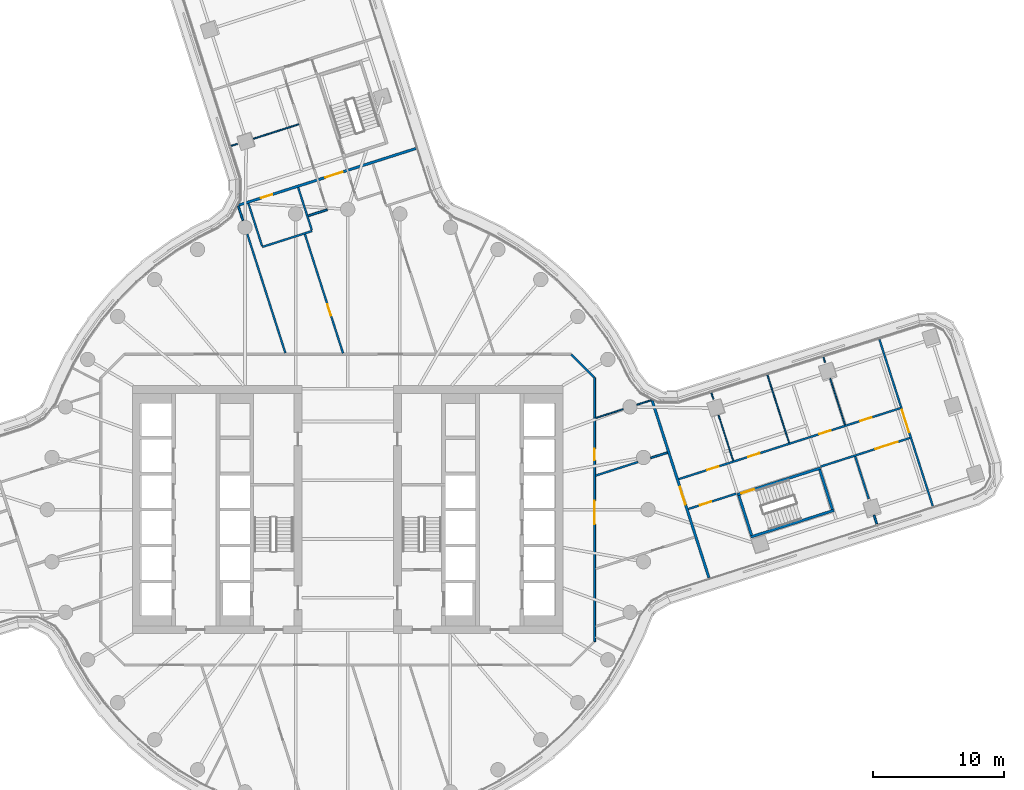
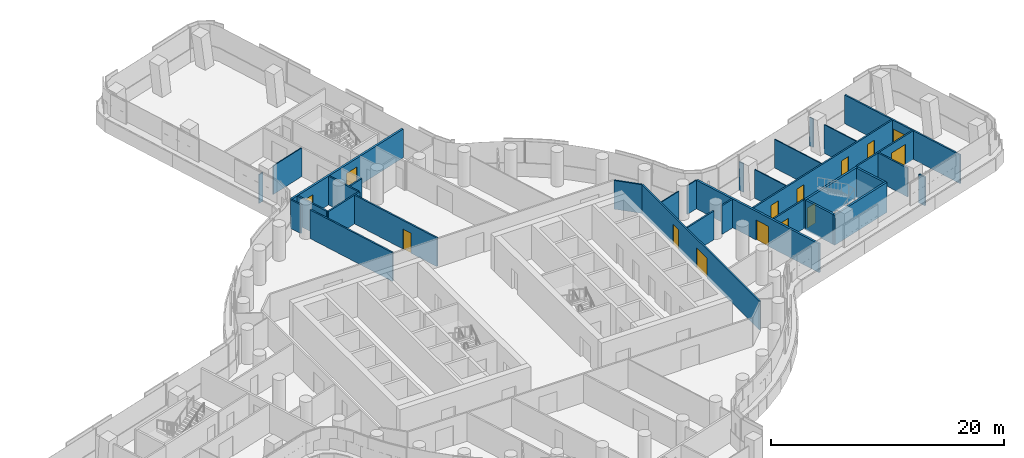
# One storey, part 21 of 30: 32 walls, 14 doors, 14 openings.
"""IFC4 building model written with IfcOpenShell, lengths in metres."""

from ifc_helpers import new_model, si_unit, direction, frame, frame_2d, origin, place, context, subcontext, project, spatial, polyline, rectangle, outline, extrude, material, layer, layer_set, type_object, element, fill, save


model = new_model("IFC4")

# Units and contexts
model_context = context("Model", 3, precision=1e-05, world=origin(), true_north=direction((0.0, 1.0)))
body_context = subcontext(model_context, "Body", "Model", "MODEL_VIEW")
ifc_project = project(units=[si_unit("LENGTHUNIT", "METRE"), si_unit("AREAUNIT", "SQUARE_METRE"), si_unit("VOLUMEUNIT", "CUBIC_METRE"), si_unit("PLANEANGLEUNIT", "RADIAN"), si_unit("MASSUNIT", "GRAM", prefix="KILO")], contexts=[model_context])

# Site, building, storey
site_placement = place(None, origin())
site = spatial("IfcSite", under=ifc_project, at=site_placement, CompositionType="ELEMENT")
building_placement = place(site_placement, origin())
building = spatial("IfcBuilding", under=site, at=building_placement, Name="Tamarind Cross Interchange Tower", CompositionType="ELEMENT")
storey_placement = place(building_placement, frame((0.0, 0.0, 98.5)))
storey = spatial("IfcBuildingStorey", under=building, at=storey_placement, Name="L23", CompositionType="ELEMENT", Elevation=98.5)

# Walls
ifc_material_1 = material(Name="Gypsum board partition on steel studs", Category="steel")
ifc_layer_1 = layer(ifc_material_1, 0.10009765625)
ifc_layer_set_1 = layer_set([ifc_layer_1], Name="Gypsum board partition on steel studs")
wall_type_1 = type_object("IfcWallType", Name="Partition 100 mm EI 90", PredefinedType="PARTITIONING", material=ifc_layer_set_1)
wall_1_placement = place(storey_placement, frame((27.853515625, 8.934814453125, 0.0), z_axis=(0.0, 0.0, 1.0), x_axis=(0.304546604954, -0.952497435908, 0.0)))
element("IfcWall", 1, at=wall_1_placement, inside=storey, type_object=wall_type_1, Name="Partition L23-029", PredefinedType="PARTITIONING", context=body_context, shape_type="SweptSolid", body=[
    extrude(rectangle(XDim=0.502685546875, YDim=0.10009765625, at=frame_2d((0.25146484375, 0.0))), origin(), (0.0, 0.0, 1.0), 3.010009765625),
])
wall_2_placement = place(storey_placement, frame((28.40185546875, 7.221923828125, 0.0), z_axis=(0.0, 0.0, 1.0), x_axis=(0.305047572326, -0.952337113956, 0.0)))
element("IfcWall", 2, at=wall_2_placement, inside=storey, type_object=wall_type_1, Name="Partition L23-030", PredefinedType="PARTITIONING", context=body_context, shape_type="SweptSolid", body=[
    extrude(rectangle(XDim=3.6494140625, YDim=0.10009765625, at=frame_2d((1.82470703125, 0.0))), origin(), (0.0, 0.0, 1.0), 3.010009765625),
])
wall_3_placement = place(storey_placement, frame((32.14111328125, 10.301513671875, 0.0), z_axis=(0.0, 0.0, 1.0), x_axis=(0.30504758376, -0.952337110294, 0.0)))
element("IfcWall", 3, at=wall_3_placement, inside=storey, type_object=wall_type_1, Name="Partition L23-031", PredefinedType="PARTITIONING", context=body_context, shape_type="SweptSolid", body=[
    extrude(rectangle(XDim=5.44140625, YDim=0.10009765625, at=frame_2d((2.720703125, 0.0))), origin(), (0.0, 0.0, 1.0), 3.010009765625),
])
wall_4_placement = place(storey_placement, frame((36.42822265625, 11.66796875, 0.0), z_axis=(0.0, 0.0, 1.0), x_axis=(0.305427554359, -0.952215316532, 0.0)))
element("IfcWall", 4, at=wall_4_placement, inside=storey, type_object=wall_type_1, Name="Partition L23-032", PredefinedType="PARTITIONING", context=body_context, shape_type="SweptSolid", body=[
    extrude(rectangle(XDim=0.40771484375, YDim=0.10009765625, at=frame_2d((0.203857421875, 0.0))), origin(), (0.0, 0.0, 1.0), 3.010009765625),
])
wall_5_placement = place(storey_placement, frame((36.947998046875, 10.045654296875, 0.0), z_axis=(0.0, 0.0, 1.0), x_axis=(0.304979855409, -0.952358802025, 0.0)))
element("IfcWall", 5, at=wall_5_placement, inside=storey, type_object=wall_type_1, Name="Partition L23-033", PredefinedType="PARTITIONING", context=body_context, shape_type="SweptSolid", body=[
    extrude(rectangle(XDim=3.73193359375, YDim=0.10009765625, at=frame_2d((1.865966796875, 0.0))), origin(), (0.0, 0.0, 1.0), 3.010009765625),
])
wall_6_placement = place(storey_placement, frame((-8.934814453125, 27.853515625, 0.0), z_axis=(0.0, 0.0, 1.0), x_axis=(0.952497435908, 0.304546604954, 0.0)))
element("IfcWall", 6, at=wall_6_placement, inside=storey, type_object=wall_type_1, Name="Partition L23-054", PredefinedType="PARTITIONING", context=body_context, shape_type="SweptSolid", body=[
    extrude(rectangle(XDim=0.502685546875, YDim=0.10009765625, at=frame_2d((0.25146484375, 0.0))), origin(), (0.0, 0.0, 1.0), 3.010009765625),
])
wall_7_placement = place(storey_placement, frame((-7.221923828125, 28.40185546875, 0.0), z_axis=(0.0, 0.0, 1.0), x_axis=(0.952337113956, 0.305047572326, 0.0)))
element("IfcWall", 7, at=wall_7_placement, inside=storey, type_object=wall_type_1, Name="Partition L23-055", PredefinedType="PARTITIONING", context=body_context, shape_type="SweptSolid", body=[
    extrude(rectangle(XDim=3.6494140625, YDim=0.10009765625, at=frame_2d((1.82470703125, 0.0))), origin(), (0.0, 0.0, 1.0), 3.010009765625),
])
wall_8_placement = place(storey_placement, frame((18.971435546875, 7.010009765625, 0.0), z_axis=(0.0, 0.0, 1.0), x_axis=(0.952353091643, 0.30499768661, 0.0)))
element("IfcWall", 8, at=wall_8_placement, inside=storey, type_object=wall_type_1, Name="Partition L23-071", PredefinedType="PARTITIONING", context=body_context, shape_type="SweptSolid", body=[
    extrude(rectangle(XDim=2.23486328125, YDim=0.10009765625, at=frame_2d((1.117431640625, 0.0))), origin(), (0.0, 0.0, 1.0), 3.010009765625),
])
wall_9_placement = place(storey_placement, frame((22.13134765625, 8.02197265625, 0.0), z_axis=(0.0, 0.0, 1.0), x_axis=(0.952293891568, 0.305182476696, 0.0)))
element("IfcWall", 9, at=wall_9_placement, inside=storey, type_object=wall_type_1, Name="Partition L23-072", PredefinedType="PARTITIONING", context=body_context, shape_type="SweptSolid", body=[
    extrude(rectangle(XDim=1.176025390625, YDim=0.10009765625, at=frame_2d((0.587890625, 0.0))), origin(), (0.0, 0.0, 1.0), 3.010009765625),
])
ifc_layer_2 = layer(ifc_material_1, 0.14990234375)
ifc_layer_set_2 = layer_set([ifc_layer_2], Name="Gypsum board partition on steel studs")
wall_type_2 = type_object("IfcWallType", Name="Partition 150 mm EI 120", PredefinedType="PARTITIONING", material=ifc_layer_set_2)
wall_10_placement = place(storey_placement, frame((-8.380859375, 23.251220703125, 0.0), z_axis=(0.0, 0.0, 1.0), x_axis=(0.305122152519, -0.952313221604, 0.0)))
element("IfcWall", 10, at=wall_10_placement, inside=storey, type_object=wall_type_2, Name="Partition L23-008", PredefinedType="PARTITIONING", context=body_context, shape_type="SweptSolid", body=[
    extrude(rectangle(XDim=1.17626953125, YDim=0.14990234375, at=frame_2d((0.588134765625, 0.0))), origin(), (0.0, 0.0, 1.0), 3.010009765625),
])
wall_11_placement = place(storey_placement, frame((-7.691650390625, 21.099853515625, 0.0), z_axis=(0.0, 0.0, 1.0), x_axis=(0.305022732323, -0.952345070217, 0.0)))
element("IfcWall", 11, at=wall_11_placement, inside=storey, type_object=wall_type_2, Name="Partition L23-009", PredefinedType="PARTITIONING", context=body_context, shape_type="SweptSolid", body=[
    extrude(rectangle(XDim=9.5751953125, YDim=0.14990234375, at=frame_2d((4.78759765625, 0.0))), origin(), (0.0, 0.0, 1.0), 3.010009765625),
])
wall_12_placement = place(storey_placement, frame((-7.6044921875, 23.44873046875, 0.0), z_axis=(0.0, 0.0, 1.0), x_axis=(0.305062851341, -0.952332219728, 0.0)))
element("IfcWall", 12, at=wall_12_placement, inside=storey, type_object=wall_type_2, Name="Partition L23-010", PredefinedType="PARTITIONING", context=body_context, shape_type="SweptSolid", body=[
    extrude(rectangle(XDim=3.424560546875, YDim=0.14990234375, at=frame_2d((1.71240234375, 0.0))), origin(), (0.0, 0.0, 1.0), 3.010009765625),
])
wall_13_placement = place(storey_placement, frame((-3.7939453125, 24.6650390625, 0.0), z_axis=(0.0, 0.0, 1.0), x_axis=(0.304920755811, -0.95237772584, 0.0)))
element("IfcWall", 13, at=wall_13_placement, inside=storey, type_object=wall_type_2, Name="Partition L23-013", PredefinedType="PARTITIONING", context=body_context, shape_type="SweptSolid", body=[
    extrude(rectangle(XDim=3.42041015625, YDim=0.14990234375, at=frame_2d((1.710205078125, 0.0))), origin(), (0.0, 0.0, 1.0), 3.010009765625),
])

# Wall, opening, door
wall_14_placement = place(storey_placement, frame((-3.276123046875, 21.08154296875, 0.0), z_axis=(0.0, 0.0, 1.0), x_axis=(0.305069571087, -0.952330067149, 0.0)))
wall_14 = element("IfcWall", 14, at=wall_14_placement, inside=storey, type_object=wall_type_2, Name="Partition L23-014", PredefinedType="PARTITIONING", context=body_context, shape_type="SweptSolid", body=[
    extrude(rectangle(XDim=9.55615234375, YDim=0.14990234375, at=frame_2d((4.778076171875, 0.0))), origin(), (0.0, 0.0, 1.0), 3.010009765625),
])
opening_1_placement = place(wall_14_placement, frame((5.625, 0.0, 0.0)))
opening_1 = element("IfcOpeningElement", 15, at=opening_1_placement, cuts=wall_14, Name="Opening D07", PredefinedType="OPENING", context=body_context, shape_type="SweptSolid", body=[
    extrude(rectangle(XDim=0.89990234375, YDim=2.10009765625, at=frame_2d((0.449951171875, 1.050048828125))), frame((0.0, 0.0849609375, 0.0), z_axis=(0.0, -1.0, 0.0), x_axis=(1.0, 0.0, 0.0)), (0.0, 0.0, 1.0), 0.169921875),
])
ifc_material_2 = material(Name="Fire-resisting door set")
door_type_1 = type_object("IfcDoorType", Name="Interior door 900 x 2100 FD60S", OperationType="SINGLE_SWING_LEFT", PredefinedType="DOOR", material=ifc_material_2)
door_1_placement = place(opening_1_placement, frame((0.89990234375, 0.0, 0.0), z_axis=(0.0, 0.0, 1.0), x_axis=(-1.0, 0.0, 0.0)))
door_1 = element("IfcDoor", 16, at=door_1_placement, inside=storey, type_object=door_type_1, Name="Door D07", OperationType="SINGLE_SWING_RIGHT", OverallHeight=2.10009765625, OverallWidth=0.89990234375, PredefinedType="DOOR", context=body_context, shape_type="SweptSolid", body=[
    extrude(rectangle(XDim=0.89990234375, YDim=2.10009765625, at=frame_2d((0.449951171875, 1.050048828125))), frame((0.0, 0.02490234375, 0.0), z_axis=(0.0, -1.0, 0.0), x_axis=(1.0, 0.0, 0.0)), (0.0, 0.0, 1.0), 0.050048828125),
])
fill(opening_1, door_1)

# Walls
wall_15_placement = place(storey_placement, frame((38.86376953125, 4.0634765625, 0.0), z_axis=(0.0, 0.0, 1.0), x_axis=(0.304952015584, -0.952367716899, 0.0)))
element("IfcWall", 17, at=wall_15_placement, inside=storey, type_object=wall_type_2, Name="Partition L23-034", PredefinedType="PARTITIONING", context=body_context, shape_type="SweptSolid", body=[
    extrude(rectangle(XDim=3.4169921875, YDim=0.14990234375, at=frame_2d((1.70849609375, 0.0))), origin(), (0.0, 0.0, 1.0), 3.010009765625),
])
wall_16_placement = place(storey_placement, frame((40.301025390625, -0.4248046875, 0.0), z_axis=(0.0, 0.0, 1.0), x_axis=(0.304987336191, -0.952356406375, 0.0)))
element("IfcWall", 18, at=wall_16_placement, inside=storey, type_object=wall_type_2, Name="Partition L23-035", PredefinedType="PARTITIONING", context=body_context, shape_type="SweptSolid", body=[
    extrude(rectangle(XDim=0.711669921875, YDim=0.14990234375, at=frame_2d((0.35595703125, 0.0))), origin(), (0.0, 0.0, 1.0), 3.010009765625),
])

# Wall, opening, door
wall_17_placement = place(storey_placement, frame((40.716064453125, 13.03466796875, 0.0), z_axis=(0.0, 0.0, 1.0), x_axis=(0.305036125436, -0.952340780487, 0.0)))
wall_17 = element("IfcWall", 19, at=wall_17_placement, inside=storey, type_object=wall_type_2, Name="Partition L23-036", PredefinedType="PARTITIONING", context=body_context, shape_type="SweptSolid", body=[
    extrude(rectangle(XDim=13.40283203125, YDim=0.14990234375, at=frame_2d((6.701416015625, 0.0))), origin(), (0.0, 0.0, 1.0), 3.010009765625),
])
opening_2_placement = place(wall_17_placement, frame((5.65380859375, 0.0, 0.0)))
opening_2 = element("IfcOpeningElement", 20, at=opening_2_placement, cuts=wall_17, Name="Opening D18", PredefinedType="OPENING", context=body_context, shape_type="SweptSolid", body=[
    extrude(rectangle(XDim=1.800048828125, YDim=2.10009765625, at=frame_2d((0.89990234375, 1.050048828125))), frame((0.0, 0.0849609375, 0.0), z_axis=(0.0, -1.0, 0.0), x_axis=(1.0, 0.0, 0.0)), (0.0, 0.0, 1.0), 0.169921875),
])
door_type_2 = type_object("IfcDoorType", Name="Interior door 1800 x 2100 FD60S", OperationType="DOUBLE_DOOR_SINGLE_SWING", PredefinedType="DOOR", material=ifc_material_2)
door_2_placement = place(opening_2_placement, origin())
door_2 = element("IfcDoor", 21, at=door_2_placement, inside=storey, type_object=door_type_2, Name="Door D18", OperationType="DOUBLE_DOOR_SINGLE_SWING", OverallHeight=2.10009765625, OverallWidth=1.800048828125, PredefinedType="DOOR", context=body_context, shape_type="SweptSolid", body=[
    extrude(rectangle(XDim=1.800048828125, YDim=2.10009765625, at=frame_2d((0.89990234375, 1.050048828125))), frame((0.0, 0.02490234375, 0.0), z_axis=(0.0, -1.0, 0.0), x_axis=(1.0, 0.0, 0.0)), (0.0, 0.0, 1.0), 0.050048828125),
])
fill(opening_2, door_2)

# Walls
wall_18_placement = place(storey_placement, frame((17.12841796875, 11.87158203125, 0.0), z_axis=(0.0, 0.0, 1.0), x_axis=(0.707106781187, -0.707106781187, 0.0)))
element("IfcWall", 22, at=wall_18_placement, inside=storey, type_object=wall_type_2, Name="Partition L23-038", PredefinedType="PARTITIONING", context=body_context, shape_type="SweptSolid", body=[
    extrude(rectangle(XDim=2.465087890625, YDim=0.14990234375, at=frame_2d((1.232421875, 0.0))), origin(), (0.0, 0.0, 1.0), 3.010009765625),
])
wall_19_placement = place(storey_placement, frame((-6.537109375, 20.115966796875, 0.0), z_axis=(0.0, 0.0, 1.0), x_axis=(0.952346864174, 0.305017131155, 0.0)))
element("IfcWall", 23, at=wall_19_placement, inside=storey, type_object=wall_type_2, Name="Partition L23-057", PredefinedType="PARTITIONING", context=body_context, shape_type="SweptSolid", body=[
    extrude(rectangle(XDim=3.999755859375, YDim=0.14990234375, at=frame_2d((2.0, 0.0))), origin(), (0.0, 0.0, 1.0), 3.010009765625),
])
wall_20_placement = place(storey_placement, frame((-3.022705078125, 22.501953125, 0.0), z_axis=(0.0, 0.0, 1.0), x_axis=(0.952377673585, 0.304920919022, 0.0)))
element("IfcWall", 24, at=wall_20_placement, inside=storey, type_object=wall_type_2, Name="Partition L23-059", PredefinedType="PARTITIONING", context=body_context, shape_type="SweptSolid", body=[
    extrude(rectangle(XDim=1.525390625, YDim=0.14990234375, at=frame_2d((0.7626953125, 0.0))), origin(), (0.0, 0.0, 1.0), 3.010009765625),
])
wall_21_placement = place(storey_placement, frame((18.98095703125, 2.602783203125, 0.0), z_axis=(0.0, 0.0, 1.0), x_axis=(0.952333666631, 0.305058334423, 0.0)))
element("IfcWall", 25, at=wall_21_placement, inside=storey, type_object=wall_type_2, Name="Partition L23-069", PredefinedType="PARTITIONING", context=body_context, shape_type="SweptSolid", body=[
    extrude(rectangle(XDim=3.41650390625, YDim=0.14990234375, at=frame_2d((1.708251953125, 0.0))), origin(), (0.0, 0.0, 1.0), 3.010009765625),
])
wall_22_placement = place(storey_placement, frame((23.199951171875, 3.954345703125, 0.0), z_axis=(0.0, 0.0, 1.0), x_axis=(0.952356992417, 0.304985506204, 0.0)))
element("IfcWall", 26, at=wall_22_placement, inside=storey, type_object=wall_type_2, Name="Partition L23-070", PredefinedType="PARTITIONING", context=body_context, shape_type="SweptSolid", body=[
    extrude(rectangle(XDim=1.351318359375, YDim=0.14990234375, at=frame_2d((0.67578125, 0.0))), origin(), (0.0, 0.0, 1.0), 3.010009765625),
])

# Wall, openings, doors
wall_23_placement = place(storey_placement, frame((25.35302734375, 2.333984375, 0.0), z_axis=(0.0, 0.0, 1.0), x_axis=(0.952334705063, 0.305055092618, 0.0)))
wall_23 = element("IfcWall", 27, at=wall_23_placement, inside=storey, type_object=wall_type_2, Name="Partition L23-075", PredefinedType="PARTITIONING", context=body_context, shape_type="SweptSolid", body=[
    extrude(rectangle(XDim=17.81982421875, YDim=0.14990234375, at=frame_2d((8.909912109375, 0.0))), origin(), (0.0, 0.0, 1.0), 3.010009765625),
])
opening_3_placement = place(wall_23_placement, frame((2.294921875, 0.0, 0.0)))
opening_3 = element("IfcOpeningElement", 28, at=opening_3_placement, cuts=wall_23, Name="Opening D35", PredefinedType="OPENING", context=body_context, shape_type="SweptSolid", body=[
    extrude(rectangle(XDim=0.89990234375, YDim=2.10009765625, at=frame_2d((0.449951171875, 1.050048828125))), frame((0.0, 0.0849609375, 0.0), z_axis=(0.0, -1.0, 0.0), x_axis=(1.0, 0.0, 0.0)), (0.0, 0.0, 1.0), 0.169921875),
])
opening_4_placement = place(wall_23_placement, frame((5.594482421875, 0.0, 0.0)))
opening_4 = element("IfcOpeningElement", 29, at=opening_4_placement, cuts=wall_23, Name="Opening D36", PredefinedType="OPENING", context=body_context, shape_type="SweptSolid", body=[
    extrude(rectangle(XDim=0.89990234375, YDim=2.10009765625, at=frame_2d((0.449951171875, 1.050048828125))), frame((0.0, 0.0849609375, 0.0), z_axis=(0.0, -1.0, 0.0), x_axis=(1.0, 0.0, 0.0)), (0.0, 0.0, 1.0), 0.169921875),
])
opening_5_placement = place(wall_23_placement, frame((11.295166015625, 0.0, 0.0)))
opening_5 = element("IfcOpeningElement", 30, at=opening_5_placement, cuts=wall_23, Name="Opening D37", PredefinedType="OPENING", context=body_context, shape_type="SweptSolid", body=[
    extrude(rectangle(XDim=0.89990234375, YDim=2.10009765625, at=frame_2d((0.449951171875, 1.050048828125))), frame((0.0, 0.0849609375, 0.0), z_axis=(0.0, -1.0, 0.0), x_axis=(1.0, 0.0, 0.0)), (0.0, 0.0, 1.0), 0.169921875),
])
opening_6_placement = place(wall_23_placement, frame((14.594482421875, 0.0, 0.0)))
opening_6 = element("IfcOpeningElement", 31, at=opening_6_placement, cuts=wall_23, Name="Opening D38", PredefinedType="OPENING", context=body_context, shape_type="SweptSolid", body=[
    extrude(rectangle(XDim=0.89990234375, YDim=2.10009765625, at=frame_2d((0.449951171875, 1.050048828125))), frame((0.0, 0.0849609375, 0.0), z_axis=(0.0, -1.0, 0.0), x_axis=(1.0, 0.0, 0.0)), (0.0, 0.0, 1.0), 0.169921875),
])
door_3_placement = place(opening_3_placement, origin())
door_3 = element("IfcDoor", 32, at=door_3_placement, inside=storey, type_object=door_type_1, Name="Door D35", OperationType="SINGLE_SWING_RIGHT", OverallHeight=2.10009765625, OverallWidth=0.89990234375, PredefinedType="DOOR", context=body_context, shape_type="SweptSolid", body=[
    extrude(rectangle(XDim=0.89990234375, YDim=2.10009765625, at=frame_2d((0.449951171875, 1.050048828125))), frame((0.0, 0.02490234375, 0.0), z_axis=(0.0, -1.0, 0.0), x_axis=(1.0, 0.0, 0.0)), (0.0, 0.0, 1.0), 0.050048828125),
])
fill(opening_3, door_3)
door_4_placement = place(opening_4_placement, origin())
door_4 = element("IfcDoor", 33, at=door_4_placement, inside=storey, type_object=door_type_1, Name="Door D36", OperationType="SINGLE_SWING_RIGHT", OverallHeight=2.10009765625, OverallWidth=0.89990234375, PredefinedType="DOOR", context=body_context, shape_type="SweptSolid", body=[
    extrude(rectangle(XDim=0.89990234375, YDim=2.10009765625, at=frame_2d((0.449951171875, 1.050048828125))), frame((0.0, 0.02490234375, 0.0), z_axis=(0.0, -1.0, 0.0), x_axis=(1.0, 0.0, 0.0)), (0.0, 0.0, 1.0), 0.050048828125),
])
fill(opening_4, door_4)
door_5_placement = place(opening_5_placement, origin())
door_5 = element("IfcDoor", 34, at=door_5_placement, inside=storey, type_object=door_type_1, Name="Door D37", OperationType="SINGLE_SWING_LEFT", OverallHeight=2.10009765625, OverallWidth=0.89990234375, PredefinedType="DOOR", context=body_context, shape_type="SweptSolid", body=[
    extrude(rectangle(XDim=0.89990234375, YDim=2.10009765625, at=frame_2d((0.449951171875, 1.050048828125))), frame((0.0, 0.02490234375, 0.0), z_axis=(0.0, -1.0, 0.0), x_axis=(1.0, 0.0, 0.0)), (0.0, 0.0, 1.0), 0.050048828125),
])
fill(opening_5, door_5)
door_6_placement = place(opening_6_placement, origin())
door_6 = element("IfcDoor", 35, at=door_6_placement, inside=storey, type_object=door_type_1, Name="Door D38", OperationType="SINGLE_SWING_LEFT", OverallHeight=2.10009765625, OverallWidth=0.89990234375, PredefinedType="DOOR", context=body_context, shape_type="SweptSolid", body=[
    extrude(rectangle(XDim=0.89990234375, YDim=2.10009765625, at=frame_2d((0.449951171875, 1.050048828125))), frame((0.0, 0.02490234375, 0.0), z_axis=(0.0, -1.0, 0.0), x_axis=(1.0, 0.0, 0.0)), (0.0, 0.0, 1.0), 0.050048828125),
])
fill(opening_6, door_6)

# Wall, opening, door
wall_24_placement = place(storey_placement, frame((26.0849609375, 0.048095703125, 0.0), z_axis=(0.0, 0.0, 1.0), x_axis=(0.952279928314, 0.305226044319, 0.0)))
wall_24 = element("IfcWall", 36, at=wall_24_placement, inside=storey, type_object=wall_type_2, Name="Partition L23-076", PredefinedType="PARTITIONING", context=body_context, shape_type="SweptSolid", body=[
    extrude(rectangle(XDim=3.85546875, YDim=0.14990234375, at=frame_2d((1.927734375, 0.0))), origin(), (0.0, 0.0, 1.0), 3.010009765625),
])
opening_7_placement = place(wall_24_placement, frame((0.945068359375, 0.0, 0.0)))
opening_7 = element("IfcOpeningElement", 37, at=opening_7_placement, cuts=wall_24, Name="Opening D39", PredefinedType="OPENING", context=body_context, shape_type="SweptSolid", body=[
    extrude(rectangle(XDim=0.89990234375, YDim=2.10009765625, at=frame_2d((0.449951171875, 1.050048828125))), frame((0.0, 0.0849609375, 0.0), z_axis=(0.0, -1.0, 0.0), x_axis=(1.0, 0.0, 0.0)), (0.0, 0.0, 1.0), 0.169921875),
])
door_7_placement = place(opening_7_placement, frame((0.89990234375, 0.0, 0.0), z_axis=(0.0, 0.0, 1.0), x_axis=(-1.0, 0.0, 0.0)))
door_7 = element("IfcDoor", 38, at=door_7_placement, inside=storey, type_object=door_type_1, Name="Door D39", OperationType="SINGLE_SWING_LEFT", OverallHeight=2.10009765625, OverallWidth=0.89990234375, PredefinedType="DOOR", context=body_context, shape_type="SweptSolid", body=[
    extrude(rectangle(XDim=0.89990234375, YDim=2.10009765625, at=frame_2d((0.449951171875, 1.050048828125))), frame((0.0, 0.02490234375, 0.0), z_axis=(0.0, -1.0, 0.0), x_axis=(1.0, 0.0, 0.0)), (0.0, 0.0, 1.0), 0.050048828125),
])
fill(opening_7, door_7)

wall_25_placement = place(storey_placement, frame((36.212158203125, 3.2939453125, 0.0), z_axis=(0.0, 0.0, 1.0), x_axis=(0.952272538612, 0.305249098615, 0.0)))
wall_25 = element("IfcWall", 39, at=wall_25_placement, inside=storey, type_object=wall_type_2, Name="Partition L23-077", PredefinedType="PARTITIONING", context=body_context, shape_type="SweptSolid", body=[
    extrude(rectangle(XDim=7.185546875, YDim=0.14990234375, at=frame_2d((3.5927734375, 0.0))), origin(), (0.0, 0.0, 1.0), 3.010009765625),
])
opening_8_placement = place(wall_25_placement, frame((4.41015625, 0.0, 0.0)))
opening_8 = element("IfcOpeningElement", 40, at=opening_8_placement, cuts=wall_25, Name="Opening D40", PredefinedType="OPENING", context=body_context, shape_type="SweptSolid", body=[
    extrude(rectangle(XDim=1.800048828125, YDim=2.10009765625, at=frame_2d((0.89990234375, 1.050048828125))), frame((0.0, 0.0849609375, 0.0), z_axis=(0.0, -1.0, 0.0), x_axis=(1.0, 0.0, 0.0)), (0.0, 0.0, 1.0), 0.169921875),
])
door_8_placement = place(opening_8_placement, frame((1.800048828125, 0.0, 0.0), z_axis=(0.0, 0.0, 1.0), x_axis=(-1.0, 0.0, 0.0)))
door_8 = element("IfcDoor", 41, at=door_8_placement, inside=storey, type_object=door_type_2, Name="Door D40", OperationType="DOUBLE_DOOR_SINGLE_SWING", OverallHeight=2.10009765625, OverallWidth=1.800048828125, PredefinedType="DOOR", context=body_context, shape_type="SweptSolid", body=[
    extrude(rectangle(XDim=1.800048828125, YDim=2.10009765625, at=frame_2d((0.89990234375, 1.050048828125))), frame((0.0, 0.02490234375, 0.0), z_axis=(0.0, -1.0, 0.0), x_axis=(1.0, 0.0, 0.0)), (0.0, 0.0, 1.0), 0.050048828125),
])
fill(opening_8, door_8)

# Wall, openings, doors
wall_26_placement = place(storey_placement, frame((18.89990234375, -10.10009765625, 0.0), z_axis=(0.0, 0.0, 1.0), x_axis=(0.0, 1.0, 0.0)))
wall_26 = element("IfcWall", 42, at=wall_26_placement, inside=storey, type_object=wall_type_2, Name="Partition L23-083", PredefinedType="PARTITIONING", context=body_context, shape_type="SweptSolid", body=[
    extrude(rectangle(XDim=20.2001953125, YDim=0.14990234375, at=frame_2d((10.10009765625, 0.0))), origin(), (0.0, 0.0, 1.0), 3.010009765625),
])
opening_9_placement = place(wall_26_placement, frame((8.987060546875, 0.0, 0.0)))
opening_9 = element("IfcOpeningElement", 43, at=opening_9_placement, cuts=wall_26, Name="Opening D43", PredefinedType="OPENING", context=body_context, shape_type="SweptSolid", body=[
    extrude(rectangle(XDim=1.800048828125, YDim=2.10009765625, at=frame_2d((0.89990234375, 1.050048828125))), frame((0.0, 0.0849609375, 0.0), z_axis=(0.0, -1.0, 0.0), x_axis=(1.0, 0.0, 0.0)), (0.0, 0.0, 1.0), 0.169921875),
])
opening_10_placement = place(wall_26_placement, frame((13.876953125, 0.0, 0.0)))
opening_10 = element("IfcOpeningElement", 44, at=opening_10_placement, cuts=wall_26, Name="Opening D44", PredefinedType="OPENING", context=body_context, shape_type="SweptSolid", body=[
    extrude(rectangle(XDim=0.89990234375, YDim=2.10009765625, at=frame_2d((0.449951171875, 1.050048828125))), frame((0.0, 0.0849609375, 0.0), z_axis=(0.0, -1.0, 0.0), x_axis=(1.0, 0.0, 0.0)), (0.0, 0.0, 1.0), 0.169921875),
])
door_9_placement = place(opening_9_placement, origin())
door_9 = element("IfcDoor", 45, at=door_9_placement, inside=storey, type_object=door_type_2, Name="Door D43", OperationType="DOUBLE_DOOR_SINGLE_SWING", OverallHeight=2.10009765625, OverallWidth=1.800048828125, PredefinedType="DOOR", context=body_context, shape_type="SweptSolid", body=[
    extrude(rectangle(XDim=1.800048828125, YDim=2.10009765625, at=frame_2d((0.89990234375, 1.050048828125))), frame((0.0, 0.02490234375, 0.0), z_axis=(0.0, -1.0, 0.0), x_axis=(1.0, 0.0, 0.0)), (0.0, 0.0, 1.0), 0.050048828125),
])
fill(opening_9, door_9)
door_10_placement = place(opening_10_placement, frame((0.89990234375, 0.0, 0.0), z_axis=(0.0, 0.0, 1.0), x_axis=(-1.0, 0.0, 0.0)))
door_10 = element("IfcDoor", 46, at=door_10_placement, inside=storey, type_object=door_type_1, Name="Door D44", OperationType="SINGLE_SWING_RIGHT", OverallHeight=2.10009765625, OverallWidth=0.89990234375, PredefinedType="DOOR", context=body_context, shape_type="SweptSolid", body=[
    extrude(rectangle(XDim=0.89990234375, YDim=2.10009765625, at=frame_2d((0.449951171875, 1.050048828125))), frame((0.0, 0.02490234375, 0.0), z_axis=(0.0, -1.0, 0.0), x_axis=(1.0, 0.0, 0.0)), (0.0, 0.0, 1.0), 0.050048828125),
])
fill(opening_10, door_10)

# Wall, opening, door
ifc_layer_3 = layer(ifc_material_1, 0.199951171875)
ifc_layer_set_3 = layer_set([ifc_layer_3], Name="Gypsum board partition on steel studs")
wall_type_3 = type_object("IfcWallType", Name="Partition 200 mm EI 180", PredefinedType="PARTITIONING", material=ifc_layer_set_3)
wall_27_placement = place(storey_placement, frame((23.31640625, 8.3466796875, 0.0), z_axis=(0.0, 0.0, 1.0), x_axis=(0.305142571986, -0.952306678944, 0.0)))
wall_27 = element("IfcWall", 47, at=wall_27_placement, inside=storey, type_object=wall_type_3, Name="Partition L23-028", PredefinedType="PARTITIONING", context=body_context, shape_type="SweptSolid", body=[
    extrude(rectangle(XDim=14.246337890625, YDim=0.199951171875, at=frame_2d((7.123046875, 0.0))), origin(), (0.0, 0.0, 1.0), 3.010009765625),
])
opening_11_placement = place(wall_27_placement, frame((6.947509765625, 0.0, 0.0)))
opening_11 = element("IfcOpeningElement", 48, at=opening_11_placement, cuts=wall_27, Name="Opening D17", PredefinedType="OPENING", context=body_context, shape_type="SweptSolid", body=[
    extrude(rectangle(XDim=1.39990234375, YDim=2.10009765625, at=frame_2d((0.699951171875, 1.050048828125))), frame((0.0, 0.10986328125, 0.0), z_axis=(0.0, -1.0, 0.0), x_axis=(1.0, 0.0, 0.0)), (0.0, 0.0, 1.0), 0.219970703125),
])
door_type_3 = type_object("IfcDoorType", Name="Interior door 1400 x 2100 FD120S", OperationType="DOUBLE_DOOR_SINGLE_SWING", PredefinedType="DOOR", material=ifc_material_2)
door_11_placement = place(opening_11_placement, frame((1.39990234375, 0.0, 0.0), z_axis=(0.0, 0.0, 1.0), x_axis=(-1.0, 0.0, 0.0)))
door_11 = element("IfcDoor", 49, at=door_11_placement, inside=storey, type_object=door_type_3, Name="Door D17", OperationType="DOUBLE_DOOR_SINGLE_SWING", OverallHeight=2.10009765625, OverallWidth=1.39990234375, PredefinedType="DOOR", context=body_context, shape_type="SweptSolid", body=[
    extrude(rectangle(XDim=1.39990234375, YDim=2.10009765625, at=frame_2d((0.699951171875, 1.050048828125))), frame((0.0, 0.02490234375, 0.0), z_axis=(0.0, -1.0, 0.0), x_axis=(1.0, 0.0, 0.0)), (0.0, 0.0, 1.0), 0.050048828125),
])
fill(opening_11, door_11)

# Wall, openings, doors
wall_28_placement = place(storey_placement, frame((-8.3466796875, 23.31640625, 0.0), z_axis=(0.0, 0.0, 1.0), x_axis=(0.952486806013, 0.304579848925, 0.0)))
wall_28 = element("IfcWall", 50, at=wall_28_placement, inside=storey, type_object=wall_type_3, Name="Partition L23-056", PredefinedType="PARTITIONING", context=body_context, shape_type="SweptSolid", body=[
    extrude(rectangle(XDim=14.246337890625, YDim=0.199951171875, at=frame_2d((7.123046875, 0.0))), origin(), (0.0, 0.0, 1.0), 3.010009765625),
])
opening_12_placement = place(wall_28_placement, frame((6.947509765625, 0.0, 0.0)))
opening_12 = element("IfcOpeningElement", 51, at=opening_12_placement, cuts=wall_28, Name="Opening D30", PredefinedType="OPENING", context=body_context, shape_type="SweptSolid", body=[
    extrude(rectangle(XDim=1.39990234375, YDim=2.10009765625, at=frame_2d((0.699951171875, 1.050048828125))), frame((0.0, 0.10986328125, 0.0), z_axis=(0.0, -1.0, 0.0), x_axis=(1.0, 0.0, 0.0)), (0.0, 0.0, 1.0), 0.219970703125),
])
opening_13_placement = place(wall_28_placement, frame((1.79736328125, 0.0, 0.0)))
opening_13 = element("IfcOpeningElement", 52, at=opening_13_placement, cuts=wall_28, Name="Opening D31", PredefinedType="OPENING", context=body_context, shape_type="SweptSolid", body=[
    extrude(rectangle(XDim=0.89990234375, YDim=2.10009765625, at=frame_2d((0.449951171875, 1.050048828125))), frame((0.0, 0.10986328125, 0.0), z_axis=(0.0, -1.0, 0.0), x_axis=(1.0, 0.0, 0.0)), (0.0, 0.0, 1.0), 0.219970703125),
])
door_12_placement = place(opening_12_placement, frame((1.39990234375, 0.0, 0.0), z_axis=(0.0, 0.0, 1.0), x_axis=(-1.0, 0.0, 0.0)))
door_12 = element("IfcDoor", 53, at=door_12_placement, inside=storey, type_object=door_type_3, Name="Door D30", OperationType="DOUBLE_DOOR_SINGLE_SWING", OverallHeight=2.10009765625, OverallWidth=1.39990234375, PredefinedType="DOOR", context=body_context, shape_type="SweptSolid", body=[
    extrude(rectangle(XDim=1.39990234375, YDim=2.10009765625, at=frame_2d((0.699951171875, 1.050048828125))), frame((0.0, 0.02490234375, 0.0), z_axis=(0.0, -1.0, 0.0), x_axis=(1.0, 0.0, 0.0)), (0.0, 0.0, 1.0), 0.050048828125),
])
fill(opening_12, door_12)
door_type_4 = type_object("IfcDoorType", Name="Interior door 900 x 2100 FD120S", OperationType="SINGLE_SWING_LEFT", PredefinedType="DOOR", material=ifc_material_2)
door_13_placement = place(opening_13_placement, frame((0.89990234375, 0.0, 0.0), z_axis=(0.0, 0.0, 1.0), x_axis=(-1.0, 0.0, 0.0)))
door_13 = element("IfcDoor", 54, at=door_13_placement, inside=storey, type_object=door_type_4, Name="Door D31", OperationType="SINGLE_SWING_LEFT", OverallHeight=2.10009765625, OverallWidth=0.89990234375, PredefinedType="DOOR", context=body_context, shape_type="SweptSolid", body=[
    extrude(rectangle(XDim=0.89990234375, YDim=2.10009765625, at=frame_2d((0.449951171875, 1.050048828125))), frame((0.0, 0.02490234375, 0.0), z_axis=(0.0, -1.0, 0.0), x_axis=(1.0, 0.0, 0.0)), (0.0, 0.0, 1.0), 0.050048828125),
])
fill(opening_13, door_13)

# Wall, opening, door
ifc_material_3 = material(Name="Concrete C40", Category="concrete")
ifc_layer_4 = layer(ifc_material_3, 0.199951171875)
ifc_layer_set_4 = layer_set([ifc_layer_4], Name="Concrete C40")
wall_type_4 = type_object("IfcWallType", Name="Stair shaft wall 200 mm Concrete C40", PredefinedType="SHEAR", material=ifc_layer_set_4)
wall_29_placement = place(storey_placement, frame((29.82470703125, 1.141357421875, -0.139892578125), z_axis=(0.0, 0.0, 1.0), x_axis=(0.952331022246, 0.305066589564, 0.0)))
wall_29 = element("IfcWall", 55, at=wall_29_placement, inside=storey, type_object=wall_type_4, Name="Core wall CWL-L23-ST3-H", PredefinedType="SHEAR", context=body_context, shape_type="SweptSolid", body=[
    extrude(rectangle(XDim=6.699951171875, YDim=0.199951171875, at=frame_2d((3.35009765625, 0.0))), origin(), (0.0, 0.0, 1.0), 3.14990234375),
])
opening_14_placement = place(wall_29_placement, frame((0.35009765625, 0.0, 0.0)))
opening_14 = element("IfcOpeningElement", 56, at=opening_14_placement, cuts=wall_29, Name="Opening ST3L23", PredefinedType="OPENING", context=body_context, shape_type="SweptSolid", body=[
    extrude(rectangle(XDim=1.0, YDim=2.10009765625, at=frame_2d((0.5, 1.050048828125))), frame((0.0, 0.10986328125, 0.0), z_axis=(0.0, -1.0, 0.0), x_axis=(1.0, 0.0, 0.0)), (0.0, 0.0, 1.0), 0.219970703125),
])
ifc_material_4 = material(Name="Steel, fire-resisting", Category="steel")
door_type_5 = type_object("IfcDoorType", Name="Core fire door 1000 x 2100 FD90", OperationType="SINGLE_SWING_LEFT", PredefinedType="DOOR", material=ifc_material_4)
door_14_placement = place(opening_14_placement, origin())
door_14 = element("IfcDoor", 57, at=door_14_placement, inside=storey, type_object=door_type_5, Name="L23 stair door ST3", OperationType="SINGLE_SWING_LEFT", OverallHeight=2.10009765625, OverallWidth=1.0, PredefinedType="DOOR", context=body_context, shape_type="SweptSolid", body=[
    extrude(rectangle(XDim=1.0, YDim=2.10009765625, at=frame_2d((0.5, 1.050048828125))), frame((0.0, 0.02490234375, 0.0), z_axis=(0.0, -1.0, 0.0), x_axis=(1.0, 0.0, 0.0)), (0.0, 0.0, 1.0), 0.050048828125),
])
fill(opening_14, door_14)

# Walls
wall_30_placement = place(storey_placement, frame((30.862060546875, -2.096435546875, -0.139892578125), z_axis=(0.0, 0.0, 1.0), x_axis=(0.952331022246, 0.305066589564, 0.0)))
element("IfcWall", 58, at=wall_30_placement, inside=storey, type_object=wall_type_4, Name="Core wall CWL-L23-ST3-C", PredefinedType="SHEAR", context=body_context, shape_type="SweptSolid", body=[
    extrude(rectangle(XDim=6.699951171875, YDim=0.199951171875, at=frame_2d((3.35009765625, 0.0))), origin(), (0.0, 0.0, 1.0), 3.14990234375),
])
wall_31_placement = place(storey_placement, frame((30.9267578125, -1.970703125, -0.139892578125), z_axis=(0.0, 0.0, 1.0), x_axis=(-0.305105140938, 0.952318671965, 0.0)))
element("IfcWall", 59, at=wall_31_placement, inside=storey, type_object=wall_type_4, Name="Core wall CWL-L23-ST3-CE", PredefinedType="SHEAR", context=body_context, shape_type="SweptSolid", body=[
    extrude(rectangle(XDim=3.199951171875, YDim=0.199951171875, at=frame_2d((1.60009765625, 0.0))), origin(), (0.0, 0.0, 1.0), 3.14990234375),
])
wall_32_placement = place(storey_placement, frame((0.0, 0.0, -0.139892578125)))
element("IfcWall", 60, at=wall_32_placement, inside=storey, type_object=wall_type_4, Name="Core wall CWL-L23-ST3-CF", PredefinedType="SHEAR", context=body_context, shape_type="SweptSolid", body=[
    extrude(outline(polyline([(37.021484375, -0.018310546875), (37.212158203125, 0.04248046875), (36.23583984375, 3.090087890625), (36.04541015625, 3.029052734375), (37.021484375, -0.018310546875)])), origin(), (0.0, 0.0, 1.0), 3.14990234375),
])

save(model, "model.ifc")
